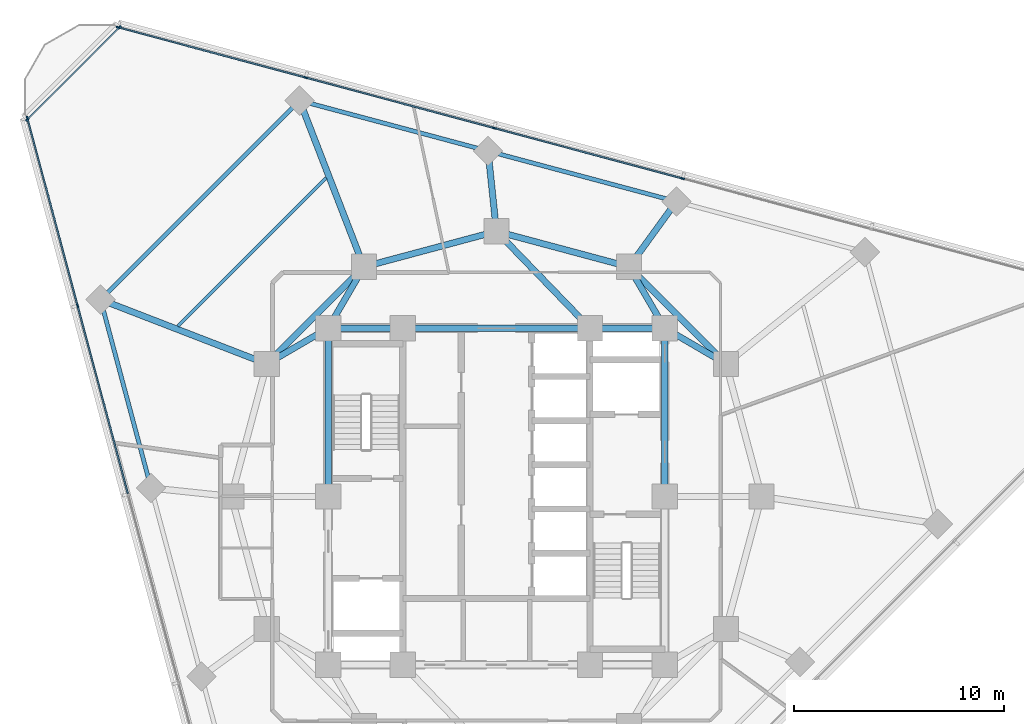
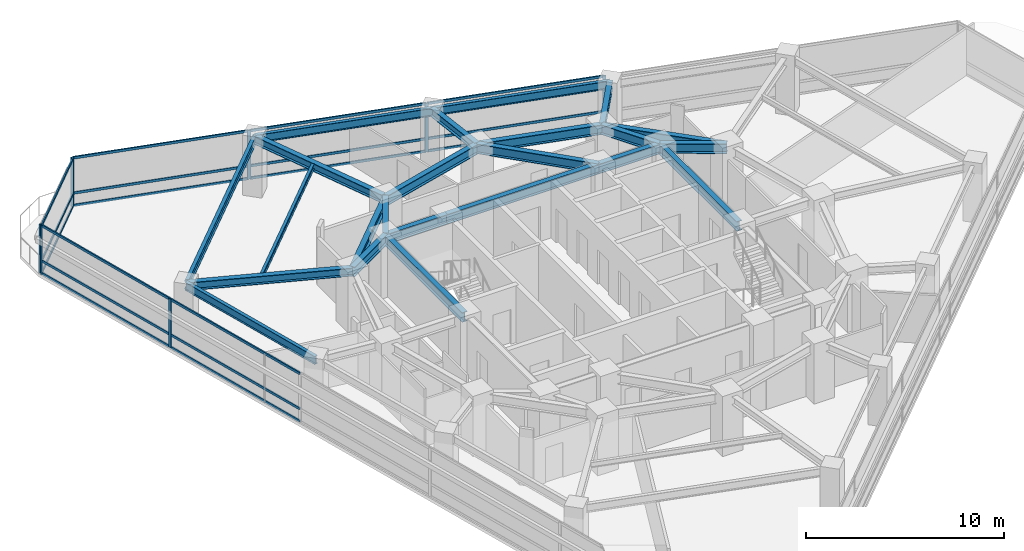
# One storey, part 4 of 13: 26 members, 23 beams, 3 elements without a shape of their own.
"""IFC4 building model written with IfcOpenShell, lengths in metres."""

from ifc_helpers import new_model, si_unit, direction, frame, origin, origin_2d, place, context, subcontext, project, spatial, rectangle, i_section, extrude, material, layer, layer_set, material_profile, profile_set, type_object, element, aggregate, save


model = new_model("IFC4")

# Units and contexts
model_context = context("Model", 3, precision=1e-05, world=origin(), true_north=direction((0.0, 1.0)))
body_context = subcontext(model_context, "Body", "Model", "MODEL_VIEW")
ifc_project = project(units=[si_unit("LENGTHUNIT", "METRE"), si_unit("AREAUNIT", "SQUARE_METRE"), si_unit("VOLUMEUNIT", "CUBIC_METRE"), si_unit("PLANEANGLEUNIT", "RADIAN"), si_unit("MASSUNIT", "GRAM", prefix="KILO")], contexts=[model_context])

# Site, building, storey
site_placement = place(None, origin())
site = spatial("IfcSite", under=ifc_project, at=site_placement, CompositionType="ELEMENT")
building_placement = place(site_placement, origin())
building = spatial("IfcBuilding", under=site, at=building_placement, Name="Terralouvre Media Tower", CompositionType="ELEMENT")
storey_placement = place(building_placement, frame((0.0, 0.0, 199.0)))
storey = spatial("IfcBuildingStorey", under=building, at=storey_placement, Name="L51", CompositionType="ELEMENT", Elevation=199.0)

# Beam
ifc_material_1 = material(Name="Structural steel S355J2", Category="steel")
ifc_material_profile_1 = material_profile(ifc_material_1, i_section(OverallWidth=0.159912109375, OverallDepth=0.330078125, WebThickness=0.007568359375, FlangeThickness=0.011474609375, at=origin_2d()), Name="IPE 330")
ifc_profile_set_1 = profile_set([ifc_material_profile_1], Name="Structural steel S355J2")
beam_type_1 = type_object("IfcBeamType", Name="Composite Floor Joist J-IPE330 (IPE 330)", PredefinedType="JOIST", material=ifc_profile_set_1)
beam_1_placement = place(storey_placement, frame((-8.095947265625, 15.14453125, 3.3349609375), z_axis=(-0.707106781187, -0.707106781187, 0.0), x_axis=(0.707106781187, -0.707106781187, 0.0)))
element("IfcBeam", 1, at=beam_1_placement, inside=storey, type_object=beam_type_1, Name="L51 Framing Beam JT-L51-05", PredefinedType="JOIST", context=body_context, shape_type="SweptSolid", body=[
    extrude(i_section(OverallWidth=0.159912109375, OverallDepth=0.330078125, WebThickness=0.007568359375, FlangeThickness=0.011474609375, at=origin_2d()), origin(), (0.0, 0.0, 1.0), 9.96826171875),
])

# Curtain wall, members
ifc_material_2 = material(Name="Low-iron laminated double glazing with solar-control coating", Category="glass")
ifc_layer_1 = layer(ifc_material_2, 0.1650390625, Name="Production Studio Tower Curtain Wall CW-03")
ifc_layer_set_1 = layer_set([ifc_layer_1], Name="Low-iron laminated double glazing with solar-control coating")
curtain_wall_type_1 = type_object("IfcCurtainWallType", Name="Production Studio Tower Curtain Wall CW-03", PredefinedType="NOTDEFINED", material=ifc_layer_set_1)
curtain_wall_1_placement = place(storey_placement, origin())
curtain_wall_1 = element("IfcCurtainWall", 2, at=curtain_wall_1_placement, inside=storey, type_object=curtain_wall_type_1, Name="L51 Facade Curtain Wall F1", PredefinedType="NOTDEFINED")
ifc_material_3 = material(Name="Anodised extruded aluminium 6063-T6", Category="aluminium")
ifc_material_profile_2 = material_profile(ifc_material_3, rectangle(XDim=0.074951171875, YDim=0.14990234375, at=origin_2d()), Name="ALU 75x150")
ifc_profile_set_2 = profile_set([ifc_material_profile_2], Name="Anodised extruded aluminium 6063-T6")
member_type_1 = type_object("IfcMemberType", Name="Curtain-Wall Horizontal Transom TR-150", PredefinedType="USERDEFINED", material=ifc_profile_set_2)
member_1_placement = place(storey_placement, frame((8.8115234375, 15.117431640625, 0.03759765625), z_axis=(-0.965926723605, 0.25881569625, 0.0), x_axis=(-0.25881569625, -0.965926723605, 0.0)))
member_1 = element("IfcMember", 3, at=member_1_placement, type_object=member_type_1, Name="CW-03 transom 3.1", ObjectType="TRANSOM", PredefinedType="USERDEFINED", context=body_context, shape_type="SweptSolid", body=[
    extrude(rectangle(XDim=0.074951171875, YDim=0.14990234375, at=origin_2d()), origin(), (0.0, 0.0, 1.0), 9.197265625),
])
member_2_placement = place(storey_placement, frame((8.8115234375, 15.117431640625, 0.800048828125), z_axis=(-0.965926723605, 0.25881569625, 0.0), x_axis=(-0.25881569625, -0.965926723605, 0.0)))
member_2 = element("IfcMember", 4, at=member_2_placement, type_object=member_type_1, Name="CW-03 transom 3.2", ObjectType="TRANSOM", PredefinedType="USERDEFINED", context=body_context, shape_type="SweptSolid", body=[
    extrude(rectangle(XDim=0.074951171875, YDim=0.14990234375, at=origin_2d()), origin(), (0.0, 0.0, 1.0), 9.197265625),
])
member_3_placement = place(storey_placement, frame((8.8115234375, 15.117431640625, 2.96240234375), z_axis=(-0.965926723605, 0.25881569625, 0.0), x_axis=(-0.25881569625, -0.965926723605, 0.0)))
member_3 = element("IfcMember", 5, at=member_3_placement, type_object=member_type_1, Name="CW-03 transom 3.3", ObjectType="TRANSOM", PredefinedType="USERDEFINED", context=body_context, shape_type="SweptSolid", body=[
    extrude(rectangle(XDim=0.074951171875, YDim=0.14990234375, at=origin_2d()), origin(), (0.0, 0.0, 1.0), 9.197265625),
])
member_4_placement = place(storey_placement, frame((-0.14453125, 17.517333984375, 0.03759765625), z_axis=(-0.965926723605, 0.25881569625, 0.0), x_axis=(-0.25881569625, -0.965926723605, 0.0)))
member_4 = element("IfcMember", 6, at=member_4_placement, type_object=member_type_1, Name="CW-03 transom 4.1", ObjectType="TRANSOM", PredefinedType="USERDEFINED", context=body_context, shape_type="SweptSolid", body=[
    extrude(rectangle(XDim=0.074951171875, YDim=0.14990234375, at=origin_2d()), origin(), (0.0, 0.0, 1.0), 9.197265625),
])
member_5_placement = place(storey_placement, frame((-0.14453125, 17.517333984375, 0.800048828125), z_axis=(-0.965926723605, 0.25881569625, 0.0), x_axis=(-0.25881569625, -0.965926723605, 0.0)))
member_5 = element("IfcMember", 7, at=member_5_placement, type_object=member_type_1, Name="CW-03 transom 4.2", ObjectType="TRANSOM", PredefinedType="USERDEFINED", context=body_context, shape_type="SweptSolid", body=[
    extrude(rectangle(XDim=0.074951171875, YDim=0.14990234375, at=origin_2d()), origin(), (0.0, 0.0, 1.0), 9.197265625),
])
member_6_placement = place(storey_placement, frame((-0.14453125, 17.517333984375, 2.96240234375), z_axis=(-0.965926723605, 0.25881569625, 0.0), x_axis=(-0.25881569625, -0.965926723605, 0.0)))
member_6 = element("IfcMember", 8, at=member_6_placement, type_object=member_type_1, Name="CW-03 transom 4.3", ObjectType="TRANSOM", PredefinedType="USERDEFINED", context=body_context, shape_type="SweptSolid", body=[
    extrude(rectangle(XDim=0.074951171875, YDim=0.14990234375, at=origin_2d()), origin(), (0.0, 0.0, 1.0), 9.197265625),
])
member_7_placement = place(storey_placement, frame((-9.1005859375, 19.9169921875, 0.03759765625), z_axis=(-0.965927230856, 0.25881380313, 0.0), x_axis=(-0.25881380313, -0.965927230856, 0.0)))
member_7 = element("IfcMember", 9, at=member_7_placement, type_object=member_type_1, Name="CW-03 transom 5.1", ObjectType="TRANSOM", PredefinedType="USERDEFINED", context=body_context, shape_type="SweptSolid", body=[
    extrude(rectangle(XDim=0.074951171875, YDim=0.14990234375, at=origin_2d()), origin(), (0.0, 0.0, 1.0), 9.159423828125),
])
member_8_placement = place(storey_placement, frame((-9.1005859375, 19.9169921875, 0.800048828125), z_axis=(-0.965927230856, 0.25881380313, 0.0), x_axis=(-0.25881380313, -0.965927230856, 0.0)))
member_8 = element("IfcMember", 10, at=member_8_placement, type_object=member_type_1, Name="CW-03 transom 5.2", ObjectType="TRANSOM", PredefinedType="USERDEFINED", context=body_context, shape_type="SweptSolid", body=[
    extrude(rectangle(XDim=0.074951171875, YDim=0.14990234375, at=origin_2d()), origin(), (0.0, 0.0, 1.0), 9.159423828125),
])
member_9_placement = place(storey_placement, frame((-9.1005859375, 19.9169921875, 2.96240234375), z_axis=(-0.965927230856, 0.25881380313, 0.0), x_axis=(-0.25881380313, -0.965927230856, 0.0)))
member_9 = element("IfcMember", 11, at=member_9_placement, type_object=member_type_1, Name="CW-03 transom 5.3", ObjectType="TRANSOM", PredefinedType="USERDEFINED", context=body_context, shape_type="SweptSolid", body=[
    extrude(rectangle(XDim=0.074951171875, YDim=0.14990234375, at=origin_2d()), origin(), (0.0, 0.0, 1.0), 9.159423828125),
])

curtain_wall_2_placement = place(storey_placement, origin())
curtain_wall_2 = element("IfcCurtainWall", 12, at=curtain_wall_2_placement, inside=storey, type_object=curtain_wall_type_1, Name="L51 Facade Curtain Wall F2", PredefinedType="NOTDEFINED")
member_10_placement = place(storey_placement, frame((-22.28759765625, 17.947998046875, 0.03759765625), z_axis=(0.25881380313, -0.965927230856, 0.0), x_axis=(0.965927230856, 0.25881380313, 0.0)))
member_10 = element("IfcMember", 13, at=member_10_placement, type_object=member_type_1, Name="CW-03 transom 1.1", ObjectType="TRANSOM", PredefinedType="USERDEFINED", context=body_context, shape_type="SweptSolid", body=[
    extrude(rectangle(XDim=0.074951171875, YDim=0.14990234375, at=origin_2d()), origin(), (0.0, 0.0, 1.0), 9.159423828125),
])
member_11_placement = place(storey_placement, frame((-22.28759765625, 17.947998046875, 0.800048828125), z_axis=(0.25881380313, -0.965927230856, 0.0), x_axis=(0.965927230856, 0.25881380313, 0.0)))
member_11 = element("IfcMember", 14, at=member_11_placement, type_object=member_type_1, Name="CW-03 transom 1.2", ObjectType="TRANSOM", PredefinedType="USERDEFINED", context=body_context, shape_type="SweptSolid", body=[
    extrude(rectangle(XDim=0.074951171875, YDim=0.14990234375, at=origin_2d()), origin(), (0.0, 0.0, 1.0), 9.159423828125),
])
member_12_placement = place(storey_placement, frame((-22.28759765625, 17.947998046875, 2.96240234375), z_axis=(0.25881380313, -0.965927230856, 0.0), x_axis=(0.965927230856, 0.25881380313, 0.0)))
member_12 = element("IfcMember", 15, at=member_12_placement, type_object=member_type_1, Name="CW-03 transom 1.3", ObjectType="TRANSOM", PredefinedType="USERDEFINED", context=body_context, shape_type="SweptSolid", body=[
    extrude(rectangle(XDim=0.074951171875, YDim=0.14990234375, at=origin_2d()), origin(), (0.0, 0.0, 1.0), 9.159423828125),
])
member_13_placement = place(storey_placement, frame((-19.897705078125, 9.0283203125, 0.03759765625), z_axis=(0.25881569625, -0.965926723605, 0.0), x_axis=(0.965926723605, 0.25881569625, 0.0)))
member_13 = element("IfcMember", 16, at=member_13_placement, type_object=member_type_1, Name="CW-03 transom 2.1", ObjectType="TRANSOM", PredefinedType="USERDEFINED", context=body_context, shape_type="SweptSolid", body=[
    extrude(rectangle(XDim=0.074951171875, YDim=0.14990234375, at=origin_2d()), origin(), (0.0, 0.0, 1.0), 9.197265625),
])
member_14_placement = place(storey_placement, frame((-19.897705078125, 9.0283203125, 0.800048828125), z_axis=(0.25881569625, -0.965926723605, 0.0), x_axis=(0.965926723605, 0.25881569625, 0.0)))
member_14 = element("IfcMember", 17, at=member_14_placement, type_object=member_type_1, Name="CW-03 transom 2.2", ObjectType="TRANSOM", PredefinedType="USERDEFINED", context=body_context, shape_type="SweptSolid", body=[
    extrude(rectangle(XDim=0.074951171875, YDim=0.14990234375, at=origin_2d()), origin(), (0.0, 0.0, 1.0), 9.197265625),
])
member_15_placement = place(storey_placement, frame((-19.897705078125, 9.0283203125, 2.96240234375), z_axis=(0.25881569625, -0.965926723605, 0.0), x_axis=(0.965926723605, 0.25881569625, 0.0)))
member_15 = element("IfcMember", 18, at=member_15_placement, type_object=member_type_1, Name="CW-03 transom 2.3", ObjectType="TRANSOM", PredefinedType="USERDEFINED", context=body_context, shape_type="SweptSolid", body=[
    extrude(rectangle(XDim=0.074951171875, YDim=0.14990234375, at=origin_2d()), origin(), (0.0, 0.0, 1.0), 9.197265625),
])

ifc_material_4 = material(Name="Low-iron laminated double glazing with solar-control coating", Category="glass")
ifc_layer_2 = layer(ifc_material_4, 0.1650390625, Name="Rounded Wind-Corner Curved Glazing CW-04")
ifc_layer_set_2 = layer_set([ifc_layer_2], Name="Low-iron laminated double glazing with solar-control coating")
curtain_wall_type_2 = type_object("IfcCurtainWallType", Name="Rounded Wind-Corner Curved Glazing CW-04", PredefinedType="NOTDEFINED", material=ifc_layer_set_2)
curtain_wall_3_placement = place(storey_placement, origin())
curtain_wall_3 = element("IfcCurtainWall", 19, at=curtain_wall_3_placement, inside=storey, type_object=curtain_wall_type_2, Name="L51 Rounded Wind-Corner Curtain Wall C2", PredefinedType="NOTDEFINED")
member_16_placement = place(storey_placement, frame((-17.943603515625, 22.27099609375, 0.03759765625), z_axis=(-0.707106781187, -0.707106781187, 0.0), x_axis=(0.707106781187, -0.707106781187, 0.0)))
member_16 = element("IfcMember", 20, at=member_16_placement, type_object=member_type_1, Name="CW-04 transom 1.1", ObjectType="TRANSOM", PredefinedType="USERDEFINED", context=body_context, shape_type="SweptSolid", body=[
    extrude(rectangle(XDim=0.074951171875, YDim=0.14990234375, at=origin_2d()), origin(), (0.0, 0.0, 1.0), 6.119873046875),
])
member_17_placement = place(storey_placement, frame((-17.943603515625, 22.27099609375, 0.800048828125), z_axis=(-0.707106781187, -0.707106781187, 0.0), x_axis=(0.707106781187, -0.707106781187, 0.0)))
member_17 = element("IfcMember", 21, at=member_17_placement, type_object=member_type_1, Name="CW-04 transom 1.2", ObjectType="TRANSOM", PredefinedType="USERDEFINED", context=body_context, shape_type="SweptSolid", body=[
    extrude(rectangle(XDim=0.074951171875, YDim=0.14990234375, at=origin_2d()), origin(), (0.0, 0.0, 1.0), 6.119873046875),
])
member_18_placement = place(storey_placement, frame((-17.943603515625, 22.27099609375, 2.96240234375), z_axis=(-0.707106781187, -0.707106781187, 0.0), x_axis=(0.707106781187, -0.707106781187, 0.0)))
member_18 = element("IfcMember", 22, at=member_18_placement, type_object=member_type_1, Name="CW-04 transom 1.3", ObjectType="TRANSOM", PredefinedType="USERDEFINED", context=body_context, shape_type="SweptSolid", body=[
    extrude(rectangle(XDim=0.074951171875, YDim=0.14990234375, at=origin_2d()), origin(), (0.0, 0.0, 1.0), 6.119873046875),
])

# Member
ifc_material_5 = material(Name="Anodised extruded aluminium 6063-T6", Category="aluminium")
ifc_material_profile_3 = material_profile(ifc_material_5, rectangle(XDim=0.074951171875, YDim=0.179931640625, at=origin_2d()), Name="ALU 75x180")
ifc_profile_set_3 = profile_set([ifc_material_profile_3], Name="Anodised extruded aluminium 6063-T6")
member_type_2 = type_object("IfcMemberType", Name="Curtain-Wall Vertical Mullion ML-180", PredefinedType="MULLION", material=ifc_profile_set_3)
member_19_placement = place(storey_placement, frame((8.84765625, 15.10791015625, 0.0), z_axis=(0.0, 0.0, 1.0), x_axis=(-0.25881903342, -0.96592582942, 0.0)))
member_19 = element("IfcMember", 23, at=member_19_placement, type_object=member_type_2, Name="CW-03 mullion 3", PredefinedType="MULLION", context=body_context, shape_type="SweptSolid", body=[
    extrude(rectangle(XDim=0.074951171875, YDim=0.179931640625, at=origin_2d()), origin(), (0.0, 0.0, 1.0), 3.0),
])

member_20_placement = place(storey_placement, frame((-0.1083984375, 17.507568359375, 0.0), z_axis=(0.0, 0.0, 1.0), x_axis=(-0.25881903342, -0.96592582942, 0.0)))
member_20 = element("IfcMember", 24, at=member_20_placement, type_object=member_type_2, Name="CW-03 mullion 4", PredefinedType="MULLION", context=body_context, shape_type="SweptSolid", body=[
    extrude(rectangle(XDim=0.074951171875, YDim=0.179931640625, at=origin_2d()), origin(), (0.0, 0.0, 1.0), 3.0),
])

member_21_placement = place(storey_placement, frame((-9.064453125, 19.907470703125, 0.0), z_axis=(0.0, 0.0, 1.0), x_axis=(-0.25881903342, -0.96592582942, 0.0)))
member_21 = element("IfcMember", 25, at=member_21_placement, type_object=member_type_2, Name="CW-03 mullion 5", PredefinedType="MULLION", context=body_context, shape_type="SweptSolid", body=[
    extrude(rectangle(XDim=0.074951171875, YDim=0.179931640625, at=origin_2d()), origin(), (0.0, 0.0, 1.0), 3.0),
])

member_22_placement = place(storey_placement, frame((-17.984375, 22.29736328125, 0.0), z_axis=(0.0, 0.0, 1.0), x_axis=(-0.25881903342, -0.96592582942, 0.0)))
member_22 = element("IfcMember", 26, at=member_22_placement, type_object=member_type_2, Name="CW-03 mullion 6", PredefinedType="MULLION", context=body_context, shape_type="SweptSolid", body=[
    extrude(rectangle(XDim=0.074951171875, YDim=0.179931640625, at=origin_2d()), origin(), (0.0, 0.0, 1.0), 3.0),
])

aggregate(curtain_wall_1, [member_19, member_20, member_21, member_22, member_1, member_2, member_3, member_4, member_5, member_6, member_7, member_8, member_9])

member_23_placement = place(storey_placement, frame((-22.29736328125, 17.984375, 0.0), z_axis=(0.0, 0.0, 1.0), x_axis=(0.96592582942, 0.25881903342, 0.0)))
member_23 = element("IfcMember", 27, at=member_23_placement, type_object=member_type_2, Name="CW-03 mullion 1", PredefinedType="MULLION", context=body_context, shape_type="SweptSolid", body=[
    extrude(rectangle(XDim=0.074951171875, YDim=0.179931640625, at=origin_2d()), origin(), (0.0, 0.0, 1.0), 3.0),
])

member_24_placement = place(storey_placement, frame((-19.907470703125, 9.064453125, 0.0), z_axis=(0.0, 0.0, 1.0), x_axis=(0.96592582942, 0.25881903342, 0.0)))
member_24 = element("IfcMember", 28, at=member_24_placement, type_object=member_type_2, Name="CW-03 mullion 2", PredefinedType="MULLION", context=body_context, shape_type="SweptSolid", body=[
    extrude(rectangle(XDim=0.074951171875, YDim=0.179931640625, at=origin_2d()), origin(), (0.0, 0.0, 1.0), 3.0),
])

aggregate(curtain_wall_2, [member_23, member_24, member_10, member_11, member_12, member_13, member_14, member_15])

member_25_placement = place(storey_placement, frame((-17.9169921875, 22.297607421875, 0.0), z_axis=(0.0, 0.0, 1.0), x_axis=(0.707106781187, -0.707106781187, 0.0)))
member_25 = element("IfcMember", 29, at=member_25_placement, type_object=member_type_2, Name="CW-04 mullion 1", PredefinedType="MULLION", context=body_context, shape_type="SweptSolid", body=[
    extrude(rectangle(XDim=0.074951171875, YDim=0.179931640625, at=origin_2d()), origin(), (0.0, 0.0, 1.0), 3.0),
])

member_26_placement = place(storey_placement, frame((-22.297607421875, 17.9169921875, 0.0), z_axis=(0.0, 0.0, 1.0), x_axis=(0.707106781187, -0.707106781187, 0.0)))
member_26 = element("IfcMember", 30, at=member_26_placement, type_object=member_type_2, Name="CW-04 mullion 2", PredefinedType="MULLION", context=body_context, shape_type="SweptSolid", body=[
    extrude(rectangle(XDim=0.074951171875, YDim=0.179931640625, at=origin_2d()), origin(), (0.0, 0.0, 1.0), 3.0),
])

aggregate(curtain_wall_3, [member_25, member_26, member_16, member_17, member_18])

# Beams
ifc_material_6 = material(Name="Structural steel S355J2", Category="steel")
ifc_material_profile_4 = material_profile(ifc_material_6, i_section(OverallWidth=0.199951171875, OverallDepth=0.5, WebThickness=0.01025390625, FlangeThickness=0.01611328125, at=origin_2d()), Name="IPE 500")
ifc_profile_set_4 = profile_set([ifc_material_profile_4], Name="Structural steel S355J2")
beam_type_2 = type_object("IfcBeamType", Name="Perimeter Spandrel Beam SPB-500 (IPE 500)", PredefinedType="SPANDREL", material=ifc_profile_set_4)
for number, where, z_axis, x_axis, name in (
    (31, (8.55517578125, 14.016357421875, 3.25), (-0.965928776458, 0.258808034669, 0.0), (-0.258808034669, -0.965928776458, 0.0), "L51 Framing Beam BM-L51-PR08"),
    (32, (-0.40087890625, 16.416015625, 3.25), (-0.965922193685, 0.258832601786, 0.0), (-0.258832601786, -0.965922193685, 0.0), "L51 Framing Beam BM-L51-PR09"),
):
    element("IfcBeam", number, at=place(storey_placement, frame(where, z_axis=z_axis, x_axis=x_axis)), inside=storey, type_object=beam_type_2, Name=name, PredefinedType="SPANDREL", context=body_context, shape_type="SweptSolid", body=[
        extrude(i_section(OverallWidth=0.199951171875, OverallDepth=0.5, WebThickness=0.01025390625, FlangeThickness=0.01611328125, at=origin_2d()), origin(), (0.0, 0.0, 1.0), 9.27197265625),
    ])
beam_2_placement = place(storey_placement, frame((-9.35693359375, 18.81591796875, 3.25), z_axis=(-0.707106781187, -0.707106781187, 0.0), x_axis=(0.707106781187, -0.707106781187, 0.0)))
element("IfcBeam", 33, at=beam_2_placement, inside=storey, type_object=beam_type_2, Name="L51 Framing Beam BM-L51-PR10", PredefinedType="SPANDREL", context=body_context, shape_type="SweptSolid", body=[
    extrude(i_section(OverallWidth=0.199951171875, OverallDepth=0.5, WebThickness=0.01025390625, FlangeThickness=0.01611328125, at=origin_2d()), origin(), (0.0, 0.0, 1.0), 13.376953125),
])
beam_3_placement = place(storey_placement, frame((-18.81591796875, 9.35693359375, 3.25), z_axis=(0.258832601786, -0.965922193685, 0.0), x_axis=(0.965922193685, 0.258832601786, 0.0)))
element("IfcBeam", 34, at=beam_3_placement, inside=storey, type_object=beam_type_2, Name="L51 Framing Beam BM-L51-PR11", PredefinedType="SPANDREL", context=body_context, shape_type="SweptSolid", body=[
    extrude(i_section(OverallWidth=0.199951171875, OverallDepth=0.5, WebThickness=0.01025390625, FlangeThickness=0.01611328125, at=origin_2d()), origin(), (0.0, 0.0, 1.0), 9.27197265625),
])
ifc_material_7 = material(Name="Structural steel S355J2", Category="steel")
ifc_material_profile_5 = material_profile(ifc_material_7, i_section(OverallWidth=0.300048828125, OverallDepth=0.5, WebThickness=0.014404296875, FlangeThickness=0.028076171875, at=origin_2d()), Name="HEB 500")
ifc_profile_set_5 = profile_set([ifc_material_profile_5], Name="Structural steel S355J2")
beam_type_3 = type_object("IfcBeamType", Name="Primary Floor Girder B-HEB500 (HEB 500)", PredefinedType="BEAM", material=ifc_profile_set_5)
beam_4_placement = place(storey_placement, frame((6.300048828125, 10.911865234375, 3.25), z_axis=(0.587713839807, 0.809068873767, 0.0), x_axis=(-0.809068873767, 0.587713839807, 0.0)))
element("IfcBeam", 35, at=beam_4_placement, inside=storey, type_object=beam_type_3, Name="L51 Framing Beam BM-L51-RD08", PredefinedType="BEAM", context=body_context, shape_type="SweptSolid", body=[
    extrude(i_section(OverallWidth=0.300048828125, OverallDepth=0.5, WebThickness=0.014404296875, FlangeThickness=0.028076171875, at=origin_2d()), origin(), (0.0, 0.0, 1.0), 3.837158203125),
])
beam_5_placement = place(storey_placement, frame((0.0, 12.60009765625, 3.25), z_axis=(-0.104479425033, 0.994527048272, 0.0), x_axis=(-0.994527048272, -0.104479425033, 0.0)))
element("IfcBeam", 36, at=beam_5_placement, inside=storey, type_object=beam_type_3, Name="L51 Framing Beam BM-L51-RD09", PredefinedType="BEAM", context=body_context, shape_type="SweptSolid", body=[
    extrude(i_section(OverallWidth=0.300048828125, OverallDepth=0.5, WebThickness=0.014404296875, FlangeThickness=0.028076171875, at=origin_2d()), origin(), (0.0, 0.0, 1.0), 3.8369140625),
])
for number, where, z_axis, x_axis, name in (
    (37, (-6.300048828125, 10.911865234375, 3.25), (-0.360712022835, 0.932677241377, 0.0), (-0.932677241377, -0.360712022835, 0.0), "L51 Framing Beam BM-L51-RD10"),
    (38, (-10.911865234375, 6.300048828125, 3.25), (-0.932677241377, 0.360712022835, 0.0), (-0.360712022835, -0.932677241377, 0.0), "L51 Framing Beam BM-L51-RD11"),
):
    element("IfcBeam", number, at=place(storey_placement, frame(where, z_axis=z_axis, x_axis=x_axis)), inside=storey, type_object=beam_type_3, Name=name, PredefinedType="BEAM", context=body_context, shape_type="SweptSolid", body=[
        extrude(i_section(OverallWidth=0.300048828125, OverallDepth=0.5, WebThickness=0.014404296875, FlangeThickness=0.028076171875, at=origin_2d()), origin(), (0.0, 0.0, 1.0), 8.474609375),
    ])
ifc_material_8 = material(Name="Structural steel S460M", Category="steel")
ifc_material_profile_6 = material_profile(ifc_material_8, i_section(OverallWidth=0.300048828125, OverallDepth=0.60009765625, WebThickness=0.015380859375, FlangeThickness=0.030029296875, at=origin_2d()), Name="HEB 600")
ifc_profile_set_6 = profile_set([ifc_material_profile_6], Name="Structural steel S460M")
beam_type_4 = type_object("IfcBeamType", Name="Primary Floor Girder B-HEB600 (HEB 600)", PredefinedType="BEAM", material=ifc_profile_set_6)
beam_6_placement = place(storey_placement, frame((8.0, 0.0, 3.199951171875), z_axis=(0.0, 1.0, 0.0), x_axis=(-1.0, 0.0, 0.0)))
element("IfcBeam", 39, at=beam_6_placement, inside=storey, type_object=beam_type_4, Name="L51 Framing Beam BM-L51-CPR05", PredefinedType="BEAM", context=body_context, shape_type="SweptSolid", body=[
    extrude(i_section(OverallWidth=0.300048828125, OverallDepth=0.60009765625, WebThickness=0.015380859375, FlangeThickness=0.030029296875, at=origin_2d()), origin(), (0.0, 0.0, 1.0), 8.0),
])
beam_7_placement = place(storey_placement, frame((8.0, 8.0, 3.199951171875), z_axis=(-1.0, 0.0, 0.0), x_axis=(0.0, -1.0, 0.0)))
element("IfcBeam", 40, at=beam_7_placement, inside=storey, type_object=beam_type_4, Name="L51 Framing Beam BM-L51-CPR06", PredefinedType="BEAM", context=body_context, shape_type="SweptSolid", body=[
    extrude(i_section(OverallWidth=0.300048828125, OverallDepth=0.60009765625, WebThickness=0.015380859375, FlangeThickness=0.030029296875, at=origin_2d()), origin(), (0.0, 0.0, 1.0), 3.550048828125),
])
beam_8_placement = place(storey_placement, frame((4.449951171875, 8.0, 3.199951171875), z_axis=(-1.0, 0.0, 0.0), x_axis=(0.0, -1.0, 0.0)))
element("IfcBeam", 41, at=beam_8_placement, inside=storey, type_object=beam_type_4, Name="L51 Framing Beam BM-L51-CPR07", PredefinedType="BEAM", context=body_context, shape_type="SweptSolid", body=[
    extrude(i_section(OverallWidth=0.300048828125, OverallDepth=0.60009765625, WebThickness=0.015380859375, FlangeThickness=0.030029296875, at=origin_2d()), origin(), (0.0, 0.0, 1.0), 8.89990234375),
])
beam_9_placement = place(storey_placement, frame((-4.449951171875, 8.0, 3.199951171875), z_axis=(-1.0, 0.0, 0.0), x_axis=(0.0, -1.0, 0.0)))
element("IfcBeam", 42, at=beam_9_placement, inside=storey, type_object=beam_type_4, Name="L51 Framing Beam BM-L51-CPR08", PredefinedType="BEAM", context=body_context, shape_type="SweptSolid", body=[
    extrude(i_section(OverallWidth=0.300048828125, OverallDepth=0.60009765625, WebThickness=0.015380859375, FlangeThickness=0.030029296875, at=origin_2d()), origin(), (0.0, 0.0, 1.0), 3.550048828125),
])
beam_10_placement = place(storey_placement, frame((-8.0, 8.0, 3.199951171875), z_axis=(0.0, -1.0, 0.0), x_axis=(1.0, 0.0, 0.0)))
element("IfcBeam", 43, at=beam_10_placement, inside=storey, type_object=beam_type_4, Name="L51 Framing Beam BM-L51-CPR09", PredefinedType="BEAM", context=body_context, shape_type="SweptSolid", body=[
    extrude(i_section(OverallWidth=0.300048828125, OverallDepth=0.60009765625, WebThickness=0.015380859375, FlangeThickness=0.030029296875, at=origin_2d()), origin(), (0.0, 0.0, 1.0), 8.0),
])
beam_11_placement = place(storey_placement, frame((10.911865234375, 6.300048828125, 3.199951171875), z_axis=(-0.707106781187, 0.707106781187, 0.0), x_axis=(-0.707106781187, -0.707106781187, 0.0)))
element("IfcBeam", 44, at=beam_11_placement, inside=storey, type_object=beam_type_4, Name="L51 Framing Beam BM-L51-MR07", PredefinedType="BEAM", context=body_context, shape_type="SweptSolid", body=[
    extrude(i_section(OverallWidth=0.300048828125, OverallDepth=0.60009765625, WebThickness=0.015380859375, FlangeThickness=0.030029296875, at=origin_2d()), origin(), (0.0, 0.0, 1.0), 6.52197265625),
])
for number, where, z_axis, x_axis, name in (
    (45, (6.300048828125, 10.911865234375, 3.199951171875), (-0.965920481897, 0.258838989821, 0.0), (-0.258838989821, -0.965920481897, 0.0), "L51 Framing Beam BM-L51-MR08"),
    (46, (0.0, 12.60009765625, 3.199951171875), (-0.965920481897, -0.258838989821, 0.0), (0.258838989821, -0.965920481897, 0.0), "L51 Framing Beam BM-L51-MR09"),
):
    element("IfcBeam", number, at=place(storey_placement, frame(where, z_axis=z_axis, x_axis=x_axis)), inside=storey, type_object=beam_type_4, Name=name, PredefinedType="BEAM", context=body_context, shape_type="SweptSolid", body=[
        extrude(i_section(OverallWidth=0.300048828125, OverallDepth=0.60009765625, WebThickness=0.015380859375, FlangeThickness=0.030029296875, at=origin_2d()), origin(), (0.0, 0.0, 1.0), 6.522216796875),
    ])
beam_12_placement = place(storey_placement, frame((-6.300048828125, 10.911865234375, 3.199951171875), z_axis=(-0.707106781187, -0.707106781187, 0.0), x_axis=(0.707106781187, -0.707106781187, 0.0)))
element("IfcBeam", 47, at=beam_12_placement, inside=storey, type_object=beam_type_4, Name="L51 Framing Beam BM-L51-MR10", PredefinedType="BEAM", context=body_context, shape_type="SweptSolid", body=[
    extrude(i_section(OverallWidth=0.300048828125, OverallDepth=0.60009765625, WebThickness=0.015380859375, FlangeThickness=0.030029296875, at=origin_2d()), origin(), (0.0, 0.0, 1.0), 6.52197265625),
])
for number, where, z_axis, x_axis, name in (
    (48, (8.0, 8.0, 3.199951171875), (0.863602894532, -0.504172629717, 0.0), (0.504172629717, 0.863602894532, 0.0), "L51 Framing Beam BM-L51-CM07"),
    (49, (8.0, 8.0, 3.199951171875), (-0.504172629717, 0.863602894532, 0.0), (-0.863602894532, -0.504172629717, 0.0), "L51 Framing Beam BM-L51-CM08"),
):
    element("IfcBeam", number, at=place(storey_placement, frame(where, z_axis=z_axis, x_axis=x_axis)), inside=storey, type_object=beam_type_4, Name=name, PredefinedType="BEAM", context=body_context, shape_type="SweptSolid", body=[
        extrude(i_section(OverallWidth=0.300048828125, OverallDepth=0.60009765625, WebThickness=0.015380859375, FlangeThickness=0.030029296875, at=origin_2d()), origin(), (0.0, 0.0, 1.0), 3.371826171875),
    ])
beam_13_placement = place(storey_placement, frame((4.449951171875, 8.0, 3.199951171875), z_axis=(-0.695279715726, 0.718739255155, 0.0), x_axis=(-0.718739255155, -0.695279715726, 0.0)))
element("IfcBeam", 50, at=beam_13_placement, inside=storey, type_object=beam_type_4, Name="L51 Framing Beam BM-L51-CM09", PredefinedType="BEAM", context=body_context, shape_type="SweptSolid", body=[
    extrude(i_section(OverallWidth=0.300048828125, OverallDepth=0.60009765625, WebThickness=0.015380859375, FlangeThickness=0.030029296875, at=origin_2d()), origin(), (0.0, 0.0, 1.0), 6.400146484375),
])
for number, where, z_axis, x_axis, name in (
    (51, (-8.0, 8.0, 3.199951171875), (0.504172629717, 0.863602894532, 0.0), (-0.863602894532, 0.504172629717, 0.0), "L51 Framing Beam BM-L51-CM10"),
    (52, (-8.0, 8.0, 3.199951171875), (-0.863602894532, -0.504172629717, 0.0), (0.504172629717, -0.863602894532, 0.0), "L51 Framing Beam BM-L51-CM11"),
):
    element("IfcBeam", number, at=place(storey_placement, frame(where, z_axis=z_axis, x_axis=x_axis)), inside=storey, type_object=beam_type_4, Name=name, PredefinedType="BEAM", context=body_context, shape_type="SweptSolid", body=[
        extrude(i_section(OverallWidth=0.300048828125, OverallDepth=0.60009765625, WebThickness=0.015380859375, FlangeThickness=0.030029296875, at=origin_2d()), origin(), (0.0, 0.0, 1.0), 3.371826171875),
    ])

save(model, "model.ifc")
